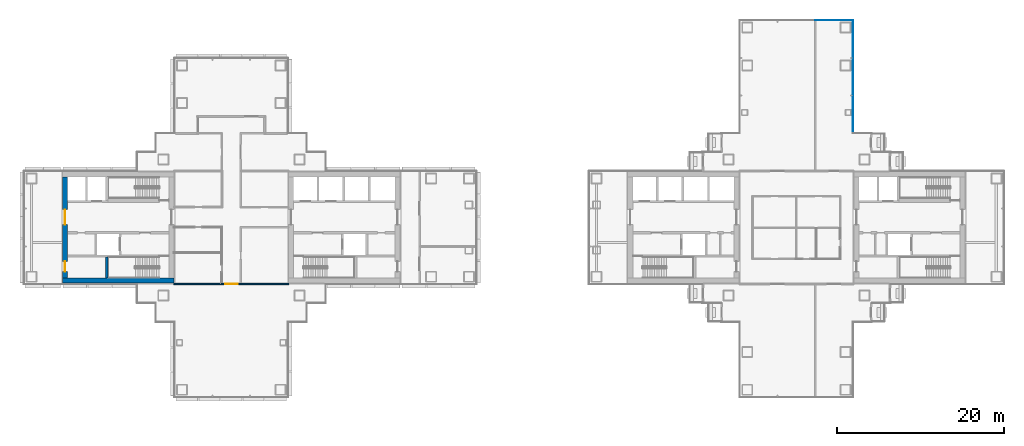
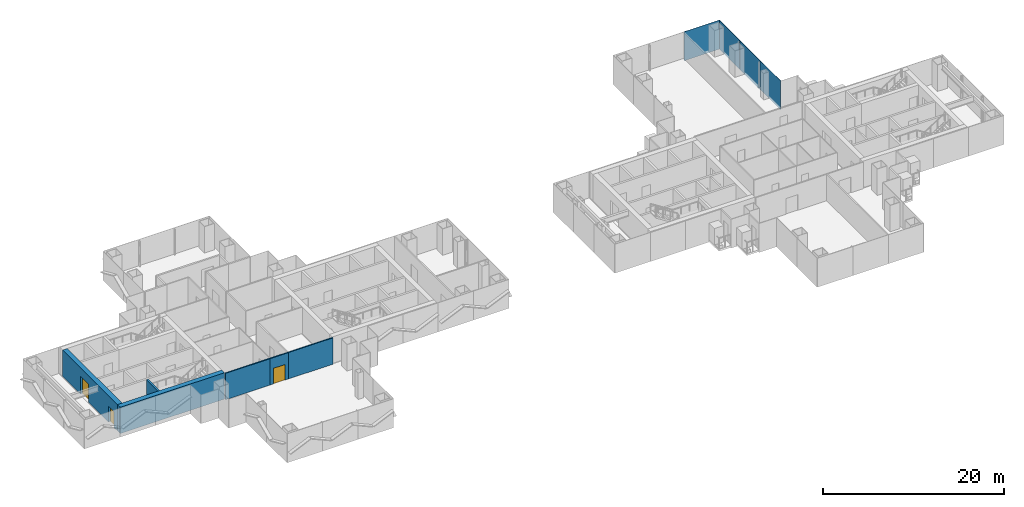
# One storey, part 10 of 19: 6 walls, 4 plates, 3 doors, 3 openings, 2 elements without a shape of their own.
"""IFC4 building model written with IfcOpenShell, lengths in metres."""

from ifc_helpers import new_model, si_unit, direction, frame, frame_2d, origin, origin_2d, place, context, subcontext, project, spatial, rectangle, extrude, material, layer, layer_set, type_object, element, fill, aggregate, save


model = new_model("IFC4")

# Units and contexts
model_context = context("Model", 3, precision=1e-05, world=origin(), true_north=direction((0.0, 1.0)))
body_context = subcontext(model_context, "Body", "Model", "MODEL_VIEW")
ifc_project = project(units=[si_unit("LENGTHUNIT", "METRE"), si_unit("AREAUNIT", "SQUARE_METRE"), si_unit("VOLUMEUNIT", "CUBIC_METRE"), si_unit("PLANEANGLEUNIT", "RADIAN"), si_unit("MASSUNIT", "GRAM", prefix="KILO")], contexts=[model_context])

# Site, building, storey
site_placement = place(None, origin())
site = spatial("IfcSite", under=ifc_project, at=site_placement, CompositionType="ELEMENT")
building_placement = place(site_placement, origin())
building = spatial("IfcBuilding", under=site, at=building_placement, Name="Shamsa Quay Exchange Towers", CompositionType="ELEMENT")
storey_placement = place(building_placement, frame((0.0, 0.0, 93.60009765625)))
storey = spatial("IfcBuildingStorey", under=building, at=storey_placement, Name="L21", CompositionType="ELEMENT", Elevation=93.60009765625)

# Curtain wall, plates
ifc_material_1 = material(Name="Aluminium EN AW-6063 T6, black anodised", Category="aluminium")
ifc_layer_1 = layer(ifc_material_1, 0.280029296875)
ifc_layer_set_1 = layer_set([ifc_layer_1], Name="CW-1 UNITISED VISION GLASS")
curtain_wall_type = type_object("IfcCurtainWallType", Name="CW-1 UNITISED VISION GLASS", PredefinedType="NOTDEFINED", material=ifc_layer_set_1)
curtain_wall_1_placement = place(storey_placement, origin())
curtain_wall_1 = element("IfcCurtainWall", 1, at=curtain_wall_1_placement, inside=storey, type_object=curtain_wall_type, Name="CW1 T2-FLK-U+S L21", PredefinedType="NOTDEFINED")
ifc_material_2 = material(Name="Glass, laminated, dark tinted", Category="glass")
ifc_layer_2 = layer(ifc_material_2, 0.0400390625)
ifc_layer_set_2 = layer_set([ifc_layer_2], Name="CW-1 VISION GLASS 40")
plate_type = type_object("IfcPlateType", Name="CW-1 VISION GLASS 40", PredefinedType="CURTAIN_PANEL", material=ifc_layer_set_2)
plate_1_placement = place(storey_placement, frame((40.52001953125, 13.529052734375, -0.35009765625), z_axis=(0.0, 0.0, 1.0), x_axis=(0.0, 1.0, 0.0)))
plate_1 = element("IfcPlate", 2, at=plate_1_placement, type_object=plate_type, Name="CW1 glass panel", PredefinedType="CURTAIN_PANEL", context=body_context, shape_type="SweptSolid", body=[
    extrude(rectangle(XDim=4.482421875, YDim=0.0400390625, at=origin_2d()), origin(), (0.0, 0.0, 1.0), 3.89990234375),
])
plate_2_placement = place(storey_placement, frame((40.52001953125, 18.01904296875, -0.35009765625), z_axis=(0.0, 0.0, 1.0), x_axis=(0.0, 1.0, 0.0)))
plate_2 = element("IfcPlate", 3, at=plate_2_placement, type_object=plate_type, Name="CW1 glass panel", PredefinedType="CURTAIN_PANEL", context=body_context, shape_type="SweptSolid", body=[
    extrude(rectangle(XDim=4.477294921875, YDim=0.0400390625, at=origin_2d()), origin(), (0.0, 0.0, 1.0), 3.89990234375),
])
plate_3_placement = place(storey_placement, frame((40.52001953125, 22.5087890625, -0.35009765625), z_axis=(0.0, 0.0, 1.0), x_axis=(0.0, 1.0, 0.0)))
plate_3 = element("IfcPlate", 4, at=plate_3_placement, type_object=plate_type, Name="CW1 glass panel", PredefinedType="CURTAIN_PANEL", context=body_context, shape_type="SweptSolid", body=[
    extrude(rectangle(XDim=4.482421875, YDim=0.0400390625, at=origin_2d()), origin(), (0.0, 0.0, 1.0), 3.89990234375),
])
aggregate(curtain_wall_1, [plate_1, plate_2, plate_3])

# Curtain wall, plate
curtain_wall_2_placement = place(storey_placement, origin())
curtain_wall_2 = element("IfcCurtainWall", 5, at=curtain_wall_2_placement, inside=storey, type_object=curtain_wall_type, Name="CW1 T2-END-U+ L21", PredefinedType="NOTDEFINED")
plate_4_placement = place(storey_placement, frame((38.25244140625, 24.77001953125, -0.35009765625), z_axis=(0.0, 0.0, 1.0), x_axis=(-1.0, 0.0, 0.0)))
plate_4 = element("IfcPlate", 6, at=plate_4_placement, type_object=plate_type, Name="CW1 glass panel", PredefinedType="CURTAIN_PANEL", context=body_context, shape_type="SweptSolid", body=[
    extrude(rectangle(XDim=4.4951171875, YDim=0.0400390625, at=origin_2d()), origin(), (0.0, 0.0, 1.0), 3.89990234375),
])
aggregate(curtain_wall_2, [plate_4])

# Wall
ifc_material_3 = material(Name="Concrete C70/85", Category="concrete")
ifc_layer_3 = layer(ifc_material_3, 0.60009765625)
ifc_layer_set_3 = layer_set([ifc_layer_3], Name="CORE WALL 600 C70/85")
wall_type_1 = type_object("IfcWallType", Name="CORE WALL 600 C70/85", PredefinedType="SHEAR", material=ifc_layer_set_3)
wall_1_placement = place(storey_placement, frame((-40.60009765625, -6.35009765625, 0.0), z_axis=(0.0, 0.0, 1.0), x_axis=(-1.0, 0.0, 0.0)))
element("IfcWall", 7, at=wall_1_placement, inside=storey, type_object=wall_type_1, Name="Core wall T1B-R09-PS", PredefinedType="SHEAR", context=body_context, shape_type="SweptSolid", body=[
    extrude(rectangle(XDim=13.2998046875, YDim=0.60009765625, at=frame_2d((6.64990234375, 0.0))), origin(), (0.0, 0.0, 1.0), 3.5498046875),
])

# Wall, openings, doors
wall_2_placement = place(storey_placement, frame((-53.60009765625, -6.050048828125, 0.0), z_axis=(0.0, 0.0, 1.0), x_axis=(0.0, 1.0, 0.0)))
wall_2 = element("IfcWall", 8, at=wall_2_placement, inside=storey, type_object=wall_type_1, Name="Core wall T1B-R09-PB", PredefinedType="SHEAR", context=body_context, shape_type="SweptSolid", body=[
    extrude(rectangle(XDim=12.10009765625, YDim=0.60009765625, at=frame_2d((6.050048828125, 0.0))), origin(), (0.0, 0.0, 1.0), 3.5498046875),
])
opening_1_placement = place(wall_2_placement, frame((0.800048828125, 0.0, 0.0)))
opening_1 = element("IfcOpeningElement", 9, at=opening_1_placement, cuts=wall_2, Name="Opening T1B-R09-RD02", PredefinedType="OPENING", context=body_context, shape_type="SweptSolid", body=[
    extrude(rectangle(XDim=1.199951171875, YDim=2.10009765625, at=frame_2d((0.60009765625, 1.050048828125))), frame((0.0, 0.31005859375, 0.0), z_axis=(0.0, -1.0, 0.0), x_axis=(1.0, 0.0, 0.0)), (0.0, 0.0, 1.0), 0.6201171875),
])
opening_2_placement = place(wall_2_placement, frame((6.39990234375, 0.0, 0.0)))
opening_2 = element("IfcOpeningElement", 10, at=opening_2_placement, cuts=wall_2, Name="Opening T1B-R09-LBD03", PredefinedType="OPENING", context=body_context, shape_type="SweptSolid", body=[
    extrude(rectangle(XDim=1.800048828125, YDim=2.39990234375, at=frame_2d((0.89990234375, 1.199951171875))), frame((0.0, 0.31005859375, 0.0), z_axis=(0.0, -1.0, 0.0), x_axis=(1.0, 0.0, 0.0)), (0.0, 0.0, 1.0), 0.6201171875),
])
ifc_material_4 = material(Name="Steel, fire rated", Category="steel")
door_type_1 = type_object("IfcDoorType", Name="LIFT LOBBY DOOR PAIR 1800", OperationType="DOUBLE_DOOR_SINGLE_SWING", PredefinedType="DOOR", material=ifc_material_4)
door_1_placement = place(opening_2_placement, origin())
door_1 = element("IfcDoor", 11, at=door_1_placement, inside=storey, type_object=door_type_1, Name="T1B-R09-LBD03", OperationType="DOUBLE_DOOR_SINGLE_SWING", OverallHeight=2.39990234375, OverallWidth=1.800048828125, PredefinedType="DOOR", context=body_context, shape_type="SweptSolid", body=[
    extrude(rectangle(XDim=1.800048828125, YDim=2.39990234375, at=frame_2d((0.89990234375, 1.199951171875))), frame((0.0, 0.02490234375, 0.0), z_axis=(0.0, -1.0, 0.0), x_axis=(1.0, 0.0, 0.0)), (0.0, 0.0, 1.0), 0.050048828125),
])
fill(opening_2, door_1)
door_type_2 = type_object("IfcDoorType", Name="RISER ACCESS DOOR 1200", OperationType="SINGLE_SWING_LEFT", PredefinedType="DOOR", material=ifc_material_4)
door_2_placement = place(opening_1_placement, origin())
door_2 = element("IfcDoor", 12, at=door_2_placement, inside=storey, type_object=door_type_2, Name="T1B-R09-RD02", OperationType="SINGLE_SWING_LEFT", OverallHeight=2.10009765625, OverallWidth=1.199951171875, PredefinedType="DOOR", context=body_context, shape_type="SweptSolid", body=[
    extrude(rectangle(XDim=1.199951171875, YDim=2.10009765625, at=frame_2d((0.60009765625, 1.050048828125))), frame((0.0, 0.02490234375, 0.0), z_axis=(0.0, -1.0, 0.0), x_axis=(1.0, 0.0, 0.0)), (0.0, 0.0, 1.0), 0.050048828125),
])
fill(opening_1, door_2)

# Wall, opening, door
ifc_material_5 = material(Name="Gypsum board partition on metal studs")
ifc_layer_4 = layer(ifc_material_5, 0.14990234375)
ifc_layer_set_4 = layer_set([ifc_layer_4], Name="Partition 150 mm EI 60")
wall_type_2 = type_object("IfcWallType", Name="Partition 150 mm EI 60", PredefinedType="PARTITIONING", material=ifc_layer_set_4)
wall_3_placement = place(storey_placement, frame((-32.550048828125, -6.75, 0.0), z_axis=(0.0, 0.0, 1.0), x_axis=(-1.0, 0.0, 0.0)))
wall_3 = element("IfcWall", 13, at=wall_3_placement, inside=storey, type_object=wall_type_2, Name="Partition T1-R09-W16", PredefinedType="PARTITIONING", context=body_context, shape_type="SweptSolid", body=[
    extrude(rectangle(XDim=2.375, YDim=0.14990234375, at=frame_2d((1.1875, 0.0))), origin(), (0.0, 0.0, 1.0), 3.5498046875),
])
opening_3_placement = place(wall_3_placement, frame((0.449951171875, 0.0, 0.0)))
opening_3 = element("IfcOpeningElement", 14, at=opening_3_placement, cuts=wall_3, Name="Opening T1-R09-D06", PredefinedType="OPENING", context=body_context, shape_type="SweptSolid", body=[
    extrude(rectangle(XDim=1.5, YDim=2.10009765625, at=frame_2d((0.75, 1.050048828125))), frame((0.0, 0.0849609375, 0.0), z_axis=(0.0, -1.0, 0.0), x_axis=(1.0, 0.0, 0.0)), (0.0, 0.0, 1.0), 0.169921875),
])
ifc_material_6 = material(Name="Timber door leaf in a metal frame", Category="wood")
door_type_3 = type_object("IfcDoorType", Name="Door 1500x2100 FD30S pair", OperationType="NOTDEFINED", PredefinedType="DOOR", material=ifc_material_6)
door_3_placement = place(opening_3_placement, origin())
door_3 = element("IfcDoor", 15, at=door_3_placement, inside=storey, type_object=door_type_3, Name="Door T1-R09-D06", OperationType="DOUBLE_DOOR_SINGLE_SWING", OverallHeight=2.10009765625, OverallWidth=1.5, PredefinedType="DOOR", context=body_context, shape_type="SweptSolid", body=[
    extrude(rectangle(XDim=1.5, YDim=2.10009765625, at=frame_2d((0.75, 1.050048828125))), frame((0.0, 0.02490234375, 0.0), z_axis=(0.0, -1.0, 0.0), x_axis=(1.0, 0.0, 0.0)), (0.0, 0.0, 1.0), 0.050048828125),
])
fill(opening_3, door_3)

# Walls
wall_4_placement = place(storey_placement, frame((-40.60009765625, -6.75, 0.0)))
element("IfcWall", 16, at=wall_4_placement, inside=storey, type_object=wall_type_2, Name="Partition T1-R09-W20", PredefinedType="PARTITIONING", context=body_context, shape_type="SweptSolid", body=[
    extrude(rectangle(XDim=5.775146484375, YDim=0.14990234375, at=frame_2d((2.8876953125, 0.0))), origin(), (0.0, 0.0, 1.0), 3.5498046875),
])
wall_5_placement = place(storey_placement, frame((-32.699951171875, -6.75, 0.0)))
element("IfcWall", 17, at=wall_5_placement, inside=storey, type_object=wall_type_2, Name="Partition T1-R09-W21", PredefinedType="PARTITIONING", context=body_context, shape_type="SweptSolid", body=[
    extrude(rectangle(XDim=5.800048828125, YDim=0.14990234375, at=frame_2d((2.89990234375, 0.0))), origin(), (0.0, 0.0, 1.0), 3.5498046875),
])
ifc_material_7 = material(Name="Concrete C50/60", Category="concrete")
ifc_layer_5 = layer(ifc_material_7, 0.25)
ifc_layer_set_5 = layer_set([ifc_layer_5], Name="SHAFT WALL 250 C50/60")
wall_type_3 = type_object("IfcWallType", Name="SHAFT WALL 250 C50/60", PredefinedType="SHEAR", material=ifc_layer_set_5)
wall_6_placement = place(storey_placement, frame((-48.625, -6.050048828125, 0.0), z_axis=(0.0, 0.0, 1.0), x_axis=(0.0, 1.0, 0.0)))
element("IfcWall", 18, at=wall_6_placement, inside=storey, type_object=wall_type_3, Name="Shaft wall T1B-R09-STF", PredefinedType="SHEAR", context=body_context, shape_type="SweptSolid", body=[
    extrude(rectangle(XDim=2.550048828125, YDim=0.25, at=frame_2d((1.27490234375, 0.0))), origin(), (0.0, 0.0, 1.0), 3.5498046875),
])

save(model, "model.ifc")
